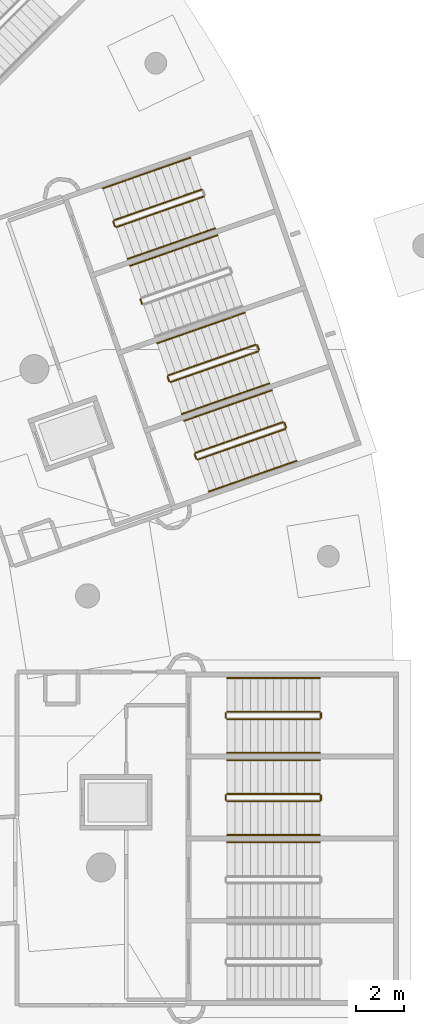
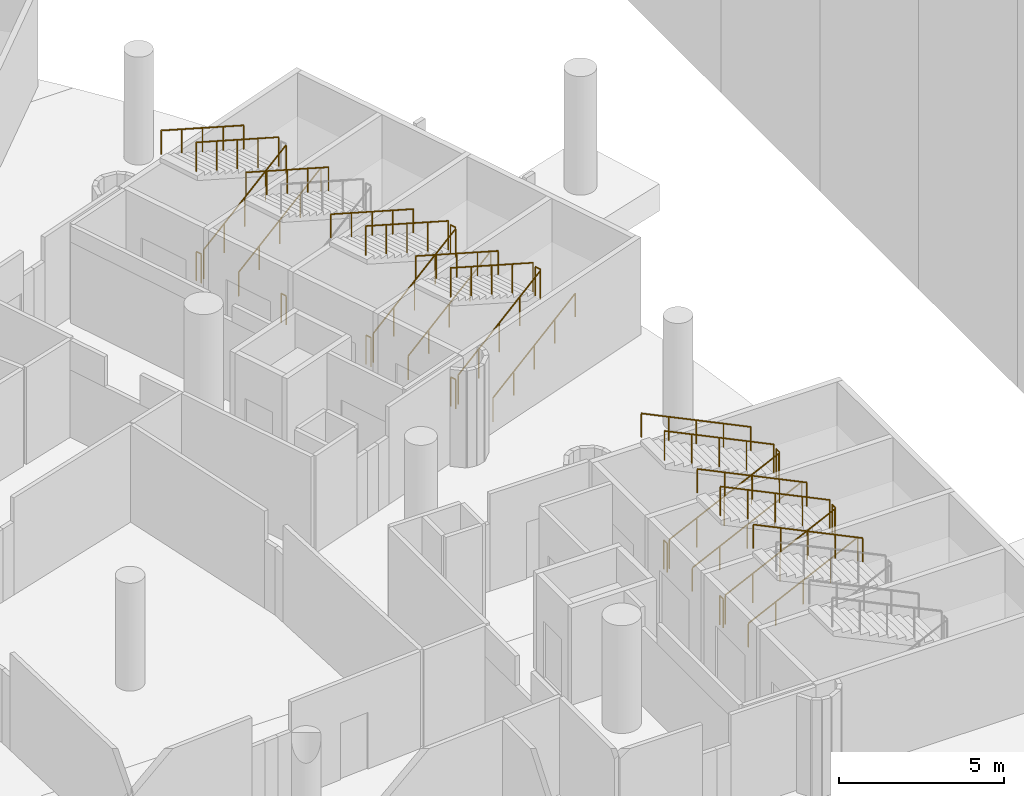
# One storey, part 136 of 142: 32 railings.
"""IFC4 building model written with IfcOpenShell, lengths in metres."""

from ifc_helpers import new_model, si_unit, direction, frame, origin, origin_2d, place, context, subcontext, project, spatial, circle, extrude, material, type_object, element, save


model = new_model("IFC4")

# Units and contexts
model_context = context("Model", 3, precision=1e-05, world=origin(), true_north=direction((0.0, 1.0)))
body_context = subcontext(model_context, "Body", "Model", "MODEL_VIEW")
ifc_project = project(units=[si_unit("LENGTHUNIT", "METRE"), si_unit("AREAUNIT", "SQUARE_METRE"), si_unit("VOLUMEUNIT", "CUBIC_METRE"), si_unit("PLANEANGLEUNIT", "RADIAN"), si_unit("MASSUNIT", "GRAM", prefix="KILO")], contexts=[model_context])

# Site, building, storey
site_placement = place(None, origin())
site = spatial("IfcSite", under=ifc_project, at=site_placement, CompositionType="ELEMENT")
building_placement = place(site_placement, origin())
building = spatial("IfcBuilding", under=site, at=building_placement, Name="Meseta Stadium", CompositionType="ELEMENT")
storey_placement = place(building_placement, frame((0.0, 0.0, -4.0)))
storey = spatial("IfcBuildingStorey", under=building, at=storey_placement, Name="B1", CompositionType="ELEMENT", Elevation=-4.0)

# Railings
ifc_material_1 = material(Name="Steel S355", Category="steel")
railing_type_1 = type_object("IfcRailingType", Name="Stair guard 1100", PredefinedType="GUARDRAIL", material=ifc_material_1)
railing_1_placement = place(storey_placement, frame((90.10009765625, 45.300048828125, 0.15380859375)))
element("IfcRailing", 1, at=railing_1_placement, inside=storey, type_object=railing_type_1, Name="ST19 B1 guard 1", PredefinedType="GUARDRAIL", context=body_context, shape_type="SweptSolid", body=[
    extrude(circle(Radius=0.02392578125, at=origin_2d()), frame((0.0, 0.0, 1.076171875), z_axis=(0.901242096526, 0.0, 0.43331591645), x_axis=(0.0, 1.0, 0.0)), (0.0, 0.0, 1.0), 4.260498046875),
    extrude(circle(Radius=0.02099609375, at=origin_2d()), origin(), (0.0, 0.0, 1.0), 1.052001953125),
    extrude(circle(Radius=0.02099609375, at=origin_2d()), frame((0.9599609375, 0.0, 0.46142578125)), (0.0, 0.0, 1.0), 1.052001953125),
    extrude(circle(Radius=0.02099609375, at=origin_2d()), frame((1.919921875, 0.0, 0.923095703125)), (0.0, 0.0, 1.0), 1.052001953125),
    extrude(circle(Radius=0.02099609375, at=origin_2d()), frame((2.8798828125, 0.0, 1.384765625)), (0.0, 0.0, 1.0), 1.052001953125),
    extrude(circle(Radius=0.02099609375, at=origin_2d()), frame((3.83984375, 0.0, 1.84619140625)), (0.0, 0.0, 1.0), 1.052001953125),
])
railing_2_placement = place(storey_placement, frame((93.989990234375, 45.35009765625, 2.0)))
element("IfcRailing", 2, at=railing_2_placement, inside=storey, type_object=railing_type_1, Name="ST19 B1 guard 2", PredefinedType="GUARDRAIL", context=body_context, shape_type="SweptSolid", body=[
    extrude(circle(Radius=0.02392578125, at=origin_2d()), frame((0.0, 0.0, 1.076171875), z_axis=(0.0, 1.0, 0.0), x_axis=(-1.0, 0.0, 0.0)), (0.0, 0.0, 1.0), 0.199951171875),
    extrude(circle(Radius=0.02099609375, at=origin_2d()), origin(), (0.0, 0.0, 1.0), 1.052001953125),
    extrude(circle(Radius=0.02099609375, at=origin_2d()), frame((0.0, 0.199951171875, 0.0)), (0.0, 0.0, 1.0), 1.052001953125),
])
railing_3_placement = place(storey_placement, frame((93.93994140625, 45.60009765625, 2.15380859375)))
element("IfcRailing", 3, at=railing_3_placement, inside=storey, type_object=railing_type_1, Name="ST19 B1 guard 3", PredefinedType="GUARDRAIL", context=body_context, shape_type="SweptSolid", body=[
    extrude(circle(Radius=0.02392578125, at=origin_2d()), frame((0.0, 0.0, 1.076171875), z_axis=(-0.901242096526, 0.0, 0.43331591645), x_axis=(0.0, -1.0, 0.0)), (0.0, 0.0, 1.0), 4.260498046875),
    extrude(circle(Radius=0.02099609375, at=origin_2d()), origin(), (0.0, 0.0, 1.0), 1.052001953125),
    extrude(circle(Radius=0.02099609375, at=origin_2d()), frame((-0.9599609375, 0.0, 0.46142578125)), (0.0, 0.0, 1.0), 1.052001953125),
    extrude(circle(Radius=0.02099609375, at=origin_2d()), frame((-1.919921875, 0.0, 0.923095703125)), (0.0, 0.0, 1.0), 1.052001953125),
    extrude(circle(Radius=0.02099609375, at=origin_2d()), frame((-2.8798828125, 0.0, 1.384765625)), (0.0, 0.0, 1.0), 1.052001953125),
    extrude(circle(Radius=0.02099609375, at=origin_2d()), frame((-3.83984375, 0.0, 1.84619140625)), (0.0, 0.0, 1.0), 1.052001953125),
])
railing_4_placement = place(storey_placement, frame((90.050048828125, 45.35009765625, 0.0)))
element("IfcRailing", 4, at=railing_4_placement, inside=storey, type_object=railing_type_1, Name="ST19 B1 guard 4", PredefinedType="GUARDRAIL", context=body_context, shape_type="SweptSolid", body=[
    extrude(circle(Radius=0.02392578125, at=origin_2d()), frame((0.0, 0.0, 1.076171875), z_axis=(0.0, 1.0, 0.0), x_axis=(-1.0, 0.0, 0.0)), (0.0, 0.0, 1.0), 0.199951171875),
    extrude(circle(Radius=0.02099609375, at=origin_2d()), origin(), (0.0, 0.0, 1.0), 1.052001953125),
    extrude(circle(Radius=0.02099609375, at=origin_2d()), frame((0.0, 0.199951171875, 0.0)), (0.0, 0.0, 1.0), 1.052001953125),
])
railing_5_placement = place(storey_placement, frame((90.10009765625, 48.699951171875, 0.15380859375)))
element("IfcRailing", 5, at=railing_5_placement, inside=storey, type_object=railing_type_1, Name="ST20 B1 guard 1", PredefinedType="GUARDRAIL", context=body_context, shape_type="SweptSolid", body=[
    extrude(circle(Radius=0.02392578125, at=origin_2d()), frame((0.0, 0.0, 1.076171875), z_axis=(0.901242096526, 0.0, 0.43331591645), x_axis=(0.0, 1.0, 0.0)), (0.0, 0.0, 1.0), 4.260498046875),
    extrude(circle(Radius=0.02099609375, at=origin_2d()), origin(), (0.0, 0.0, 1.0), 1.052001953125),
    extrude(circle(Radius=0.02099609375, at=origin_2d()), frame((0.9599609375, 0.0, 0.46142578125)), (0.0, 0.0, 1.0), 1.052001953125),
    extrude(circle(Radius=0.02099609375, at=origin_2d()), frame((1.919921875, 0.0, 0.923095703125)), (0.0, 0.0, 1.0), 1.052001953125),
    extrude(circle(Radius=0.02099609375, at=origin_2d()), frame((2.8798828125, 0.0, 1.384765625)), (0.0, 0.0, 1.0), 1.052001953125),
    extrude(circle(Radius=0.02099609375, at=origin_2d()), frame((3.83984375, 0.0, 1.84619140625)), (0.0, 0.0, 1.0), 1.052001953125),
])
railing_6_placement = place(storey_placement, frame((93.989990234375, 48.75, 2.0)))
element("IfcRailing", 6, at=railing_6_placement, inside=storey, type_object=railing_type_1, Name="ST20 B1 guard 2", PredefinedType="GUARDRAIL", context=body_context, shape_type="SweptSolid", body=[
    extrude(circle(Radius=0.02392578125, at=origin_2d()), frame((0.0, 0.0, 1.076171875), z_axis=(0.0, 1.0, 0.0), x_axis=(-1.0, 0.0, 0.0)), (0.0, 0.0, 1.0), 0.199951171875),
    extrude(circle(Radius=0.02099609375, at=origin_2d()), origin(), (0.0, 0.0, 1.0), 1.052001953125),
    extrude(circle(Radius=0.02099609375, at=origin_2d()), frame((0.0, 0.199951171875, 0.0)), (0.0, 0.0, 1.0), 1.052001953125),
])
railing_7_placement = place(storey_placement, frame((93.93994140625, 49.0, 2.15380859375)))
element("IfcRailing", 7, at=railing_7_placement, inside=storey, type_object=railing_type_1, Name="ST20 B1 guard 3", PredefinedType="GUARDRAIL", context=body_context, shape_type="SweptSolid", body=[
    extrude(circle(Radius=0.02392578125, at=origin_2d()), frame((0.0, 0.0, 1.076171875), z_axis=(-0.901242096526, 0.0, 0.43331591645), x_axis=(0.0, -1.0, 0.0)), (0.0, 0.0, 1.0), 4.260498046875),
    extrude(circle(Radius=0.02099609375, at=origin_2d()), origin(), (0.0, 0.0, 1.0), 1.052001953125),
    extrude(circle(Radius=0.02099609375, at=origin_2d()), frame((-0.9599609375, 0.0, 0.46142578125)), (0.0, 0.0, 1.0), 1.052001953125),
    extrude(circle(Radius=0.02099609375, at=origin_2d()), frame((-1.919921875, 0.0, 0.923095703125)), (0.0, 0.0, 1.0), 1.052001953125),
    extrude(circle(Radius=0.02099609375, at=origin_2d()), frame((-2.8798828125, 0.0, 1.384765625)), (0.0, 0.0, 1.0), 1.052001953125),
    extrude(circle(Radius=0.02099609375, at=origin_2d()), frame((-3.83984375, 0.0, 1.84619140625)), (0.0, 0.0, 1.0), 1.052001953125),
])
railing_8_placement = place(storey_placement, frame((90.050048828125, 48.75, 0.0)))
element("IfcRailing", 8, at=railing_8_placement, inside=storey, type_object=railing_type_1, Name="ST20 B1 guard 4", PredefinedType="GUARDRAIL", context=body_context, shape_type="SweptSolid", body=[
    extrude(circle(Radius=0.02392578125, at=origin_2d()), frame((0.0, 0.0, 1.076171875), z_axis=(0.0, 1.0, 0.0), x_axis=(-1.0, 0.0, 0.0)), (0.0, 0.0, 1.0), 0.199951171875),
    extrude(circle(Radius=0.02099609375, at=origin_2d()), origin(), (0.0, 0.0, 1.0), 1.052001953125),
    extrude(circle(Radius=0.02099609375, at=origin_2d()), frame((0.0, 0.199951171875, 0.0)), (0.0, 0.0, 1.0), 1.052001953125),
])
railing_9_placement = place(storey_placement, frame((88.88720703125, 59.44482421875, 0.15380859375)))
element("IfcRailing", 9, at=railing_9_placement, inside=storey, type_object=railing_type_1, Name="ST21 B1 guard 1", PredefinedType="GUARDRAIL", context=body_context, shape_type="SweptSolid", body=[
    extrude(circle(Radius=0.02392578125, at=origin_2d()), frame((0.0, 0.0, 1.076171875), z_axis=(0.85067155836, 0.29767201574, 0.433300439467), x_axis=(-0.330288120323, 0.9438801606, 0.0)), (0.0, 0.0, 1.0), 4.2607421875),
    extrude(circle(Radius=0.02099609375, at=origin_2d()), origin(), (0.0, 0.0, 1.0), 1.052001953125),
    extrude(circle(Radius=0.02099609375, at=origin_2d()), frame((0.90625, 0.317138671875, 0.46142578125)), (0.0, 0.0, 1.0), 1.052001953125),
    extrude(circle(Radius=0.02099609375, at=origin_2d()), frame((1.812255859375, 0.63427734375, 0.923095703125)), (0.0, 0.0, 1.0), 1.052001953125),
    extrude(circle(Radius=0.02099609375, at=origin_2d()), frame((2.71826171875, 0.951171875, 1.384765625)), (0.0, 0.0, 1.0), 1.052001953125),
    extrude(circle(Radius=0.02099609375, at=origin_2d()), frame((3.62451171875, 1.268310546875, 1.84619140625)), (0.0, 0.0, 1.0), 1.052001953125),
])
railing_10_placement = place(storey_placement, frame((92.54248046875, 60.77685546875, 2.0)))
element("IfcRailing", 10, at=railing_10_placement, inside=storey, type_object=railing_type_1, Name="ST21 B1 guard 2", PredefinedType="GUARDRAIL", context=body_context, shape_type="SweptSolid", body=[
    extrude(circle(Radius=0.02392578125, at=origin_2d()), frame((0.0, 0.0, 1.076171875), z_axis=(-0.330839792317, 0.943686935281, 0.0), x_axis=(-0.943686935281, -0.330839792317, 0.0)), (0.0, 0.0, 1.0), 0.199951171875),
    extrude(circle(Radius=0.02099609375, at=origin_2d()), origin(), (0.0, 0.0, 1.0), 1.052001953125),
    extrude(circle(Radius=0.02099609375, at=origin_2d()), frame((-0.066162109375, 0.188720703125, 0.0)), (0.0, 0.0, 1.0), 1.052001953125),
])
railing_11_placement = place(storey_placement, frame((92.41259765625, 60.996337890625, 2.15380859375)))
element("IfcRailing", 11, at=railing_11_placement, inside=storey, type_object=railing_type_1, Name="ST21 B1 guard 3", PredefinedType="GUARDRAIL", context=body_context, shape_type="SweptSolid", body=[
    extrude(circle(Radius=0.02392578125, at=origin_2d()), frame((0.0, 0.0, 1.076171875), z_axis=(-0.85067155836, -0.29767201574, 0.433300439467), x_axis=(0.330288120323, -0.9438801606, 0.0)), (0.0, 0.0, 1.0), 4.2607421875),
    extrude(circle(Radius=0.02099609375, at=origin_2d()), origin(), (0.0, 0.0, 1.0), 1.052001953125),
    extrude(circle(Radius=0.02099609375, at=origin_2d()), frame((-0.90625, -0.317138671875, 0.46142578125)), (0.0, 0.0, 1.0), 1.052001953125),
    extrude(circle(Radius=0.02099609375, at=origin_2d()), frame((-1.812255859375, -0.63427734375, 0.923095703125)), (0.0, 0.0, 1.0), 1.052001953125),
    extrude(circle(Radius=0.02099609375, at=origin_2d()), frame((-2.71826171875, -0.951171875, 1.384765625)), (0.0, 0.0, 1.0), 1.052001953125),
    extrude(circle(Radius=0.02099609375, at=origin_2d()), frame((-3.62451171875, -1.268310546875, 1.84619140625)), (0.0, 0.0, 1.0), 1.052001953125),
])
railing_12_placement = place(storey_placement, frame((88.823486328125, 59.475341796875, 0.0)))
element("IfcRailing", 12, at=railing_12_placement, inside=storey, type_object=railing_type_1, Name="ST21 B1 guard 4", PredefinedType="GUARDRAIL", context=body_context, shape_type="SweptSolid", body=[
    extrude(circle(Radius=0.02392578125, at=origin_2d()), frame((0.0, 0.0, 1.076171875), z_axis=(-0.329372156318, 0.944200181446, 0.0), x_axis=(-0.944200181446, -0.329372156318, 0.0)), (0.0, 0.0, 1.0), 0.2001953125),
    extrude(circle(Radius=0.02099609375, at=origin_2d()), origin(), (0.0, 0.0, 1.0), 1.052001953125),
    extrude(circle(Radius=0.02099609375, at=origin_2d()), frame((-0.06591796875, 0.18896484375, 0.0)), (0.0, 0.0, 1.0), 1.052001953125),
])
railing_13_placement = place(storey_placement, frame((87.764404296875, 62.654052734375, 0.15380859375)))
element("IfcRailing", 13, at=railing_13_placement, inside=storey, type_object=railing_type_1, Name="ST22 B1 guard 1", PredefinedType="GUARDRAIL", context=body_context, shape_type="SweptSolid", body=[
    extrude(circle(Radius=0.02392578125, at=origin_2d()), frame((0.0, 0.0, 1.076171875), z_axis=(0.85067155836, 0.29767201574, 0.433300439467), x_axis=(-0.330288120323, 0.9438801606, 0.0)), (0.0, 0.0, 1.0), 4.2607421875),
    extrude(circle(Radius=0.02099609375, at=origin_2d()), origin(), (0.0, 0.0, 1.0), 1.052001953125),
    extrude(circle(Radius=0.02099609375, at=origin_2d()), frame((0.90625, 0.317138671875, 0.46142578125)), (0.0, 0.0, 1.0), 1.052001953125),
    extrude(circle(Radius=0.02099609375, at=origin_2d()), frame((1.812255859375, 0.63427734375, 0.923095703125)), (0.0, 0.0, 1.0), 1.052001953125),
    extrude(circle(Radius=0.02099609375, at=origin_2d()), frame((2.71826171875, 0.951171875, 1.384765625)), (0.0, 0.0, 1.0), 1.052001953125),
    extrude(circle(Radius=0.02099609375, at=origin_2d()), frame((3.62451171875, 1.268310546875, 1.84619140625)), (0.0, 0.0, 1.0), 1.052001953125),
])
railing_14_placement = place(storey_placement, frame((91.41943359375, 63.986083984375, 2.0)))
element("IfcRailing", 14, at=railing_14_placement, inside=storey, type_object=railing_type_1, Name="ST22 B1 guard 2", PredefinedType="GUARDRAIL", context=body_context, shape_type="SweptSolid", body=[
    extrude(circle(Radius=0.02392578125, at=origin_2d()), frame((0.0, 0.0, 1.076171875), z_axis=(-0.329751946816, 0.944067610699, 0.0), x_axis=(-0.944067610699, -0.329751946816, 0.0)), (0.0, 0.0, 1.0), 0.199951171875),
    extrude(circle(Radius=0.02099609375, at=origin_2d()), origin(), (0.0, 0.0, 1.0), 1.052001953125),
    extrude(circle(Radius=0.02099609375, at=origin_2d()), frame((-0.06591796875, 0.188720703125, 0.0)), (0.0, 0.0, 1.0), 1.052001953125),
])
railing_15_placement = place(storey_placement, frame((91.289794921875, 64.205322265625, 2.15380859375)))
element("IfcRailing", 15, at=railing_15_placement, inside=storey, type_object=railing_type_1, Name="ST22 B1 guard 3", PredefinedType="GUARDRAIL", context=body_context, shape_type="SweptSolid", body=[
    extrude(circle(Radius=0.02392578125, at=origin_2d()), frame((0.0, 0.0, 1.076171875), z_axis=(-0.850686066833, -0.297619791939, 0.433307829543), x_axis=(0.330231476208, -0.943899979935, 0.0)), (0.0, 0.0, 1.0), 4.2607421875),
    extrude(circle(Radius=0.02099609375, at=origin_2d()), origin(), (0.0, 0.0, 1.0), 1.052001953125),
    extrude(circle(Radius=0.02099609375, at=origin_2d()), frame((-0.90625, -0.31689453125, 0.46142578125)), (0.0, 0.0, 1.0), 1.052001953125),
    extrude(circle(Radius=0.02099609375, at=origin_2d()), frame((-1.812255859375, -0.634033203125, 0.923095703125)), (0.0, 0.0, 1.0), 1.052001953125),
    extrude(circle(Radius=0.02099609375, at=origin_2d()), frame((-2.71826171875, -0.951171875, 1.384765625)), (0.0, 0.0, 1.0), 1.052001953125),
    extrude(circle(Radius=0.02099609375, at=origin_2d()), frame((-3.62451171875, -1.26806640625, 1.84619140625)), (0.0, 0.0, 1.0), 1.052001953125),
])
railing_16_placement = place(storey_placement, frame((87.70068359375, 62.6845703125, 0.0)))
element("IfcRailing", 16, at=railing_16_placement, inside=storey, type_object=railing_type_1, Name="ST22 B1 guard 4", PredefinedType="GUARDRAIL", context=body_context, shape_type="SweptSolid", body=[
    extrude(circle(Radius=0.02392578125, at=origin_2d()), frame((0.0, 0.0, 1.076171875), z_axis=(-0.330459055601, 0.943820328543, 0.0), x_axis=(-0.943820328543, -0.330459055601, 0.0)), (0.0, 0.0, 1.0), 0.2001953125),
    extrude(circle(Radius=0.02099609375, at=origin_2d()), origin(), (0.0, 0.0, 1.0), 1.052001953125),
    extrude(circle(Radius=0.02099609375, at=origin_2d()), frame((-0.066162109375, 0.18896484375, 0.0)), (0.0, 0.0, 1.0), 1.052001953125),
])
railing_17_placement = place(storey_placement, frame((86.57763671875, 65.893798828125, 0.0)))
element("IfcRailing", 17, at=railing_17_placement, inside=storey, type_object=railing_type_1, Name="ST23 B1 guard 4", PredefinedType="GUARDRAIL", context=body_context, shape_type="SweptSolid", body=[
    extrude(circle(Radius=0.02392578125, at=origin_2d()), frame((0.0, 0.0, 1.076171875), z_axis=(-0.329372156318, 0.944200181446, 0.0), x_axis=(-0.944200181446, -0.329372156318, 0.0)), (0.0, 0.0, 1.0), 0.2001953125),
    extrude(circle(Radius=0.02099609375, at=origin_2d()), origin(), (0.0, 0.0, 1.0), 1.052001953125),
    extrude(circle(Radius=0.02099609375, at=origin_2d()), frame((-0.06591796875, 0.18896484375, 0.0)), (0.0, 0.0, 1.0), 1.052001953125),
])
railing_18_placement = place(storey_placement, frame((85.518310546875, 69.072509765625, 0.15380859375)))
element("IfcRailing", 18, at=railing_18_placement, inside=storey, type_object=railing_type_1, Name="ST24 B1 guard 1", PredefinedType="GUARDRAIL", context=body_context, shape_type="SweptSolid", body=[
    extrude(circle(Radius=0.02392578125, at=origin_2d()), frame((0.0, 0.0, 1.076171875), z_axis=(0.850686066833, 0.297619791939, 0.433307829543), x_axis=(-0.330231476208, 0.943899979935, 0.0)), (0.0, 0.0, 1.0), 4.2607421875),
    extrude(circle(Radius=0.02099609375, at=origin_2d()), origin(), (0.0, 0.0, 1.0), 1.052001953125),
    extrude(circle(Radius=0.02099609375, at=origin_2d()), frame((0.90625, 0.31689453125, 0.46142578125)), (0.0, 0.0, 1.0), 1.052001953125),
    extrude(circle(Radius=0.02099609375, at=origin_2d()), frame((1.812255859375, 0.634033203125, 0.923095703125)), (0.0, 0.0, 1.0), 1.052001953125),
    extrude(circle(Radius=0.02099609375, at=origin_2d()), frame((2.71826171875, 0.951171875, 1.384765625)), (0.0, 0.0, 1.0), 1.052001953125),
    extrude(circle(Radius=0.02099609375, at=origin_2d()), frame((3.62451171875, 1.26806640625, 1.84619140625)), (0.0, 0.0, 1.0), 1.052001953125),
])
railing_19_placement = place(storey_placement, frame((89.0439453125, 70.623779296875, 2.15380859375)))
element("IfcRailing", 19, at=railing_19_placement, inside=storey, type_object=railing_type_1, Name="ST24 B1 guard 3", PredefinedType="GUARDRAIL", context=body_context, shape_type="SweptSolid", body=[
    extrude(circle(Radius=0.02392578125, at=origin_2d()), frame((0.0, 0.0, 1.076171875), z_axis=(-0.85067155836, -0.29767201574, 0.433300439467), x_axis=(0.330288120323, -0.9438801606, 0.0)), (0.0, 0.0, 1.0), 4.2607421875),
    extrude(circle(Radius=0.02099609375, at=origin_2d()), origin(), (0.0, 0.0, 1.0), 1.052001953125),
    extrude(circle(Radius=0.02099609375, at=origin_2d()), frame((-0.90625, -0.317138671875, 0.46142578125)), (0.0, 0.0, 1.0), 1.052001953125),
    extrude(circle(Radius=0.02099609375, at=origin_2d()), frame((-1.812255859375, -0.63427734375, 0.923095703125)), (0.0, 0.0, 1.0), 1.052001953125),
    extrude(circle(Radius=0.02099609375, at=origin_2d()), frame((-2.71826171875, -0.951171875, 1.384765625)), (0.0, 0.0, 1.0), 1.052001953125),
    extrude(circle(Radius=0.02099609375, at=origin_2d()), frame((-3.62451171875, -1.268310546875, 1.84619140625)), (0.0, 0.0, 1.0), 1.052001953125),
])
railing_20_placement = place(storey_placement, frame((85.454833984375, 69.10302734375, 0.0)))
element("IfcRailing", 20, at=railing_20_placement, inside=storey, type_object=railing_type_1, Name="ST24 B1 guard 4", PredefinedType="GUARDRAIL", context=body_context, shape_type="SweptSolid", body=[
    extrude(circle(Radius=0.02392578125, at=origin_2d()), frame((0.0, 0.0, 1.076171875), z_axis=(-0.330839792317, 0.943686935281, 0.0), x_axis=(-0.943686935281, -0.330839792317, 0.0)), (0.0, 0.0, 1.0), 0.199951171875),
    extrude(circle(Radius=0.02099609375, at=origin_2d()), origin(), (0.0, 0.0, 1.0), 1.052001953125),
    extrude(circle(Radius=0.02099609375, at=origin_2d()), frame((-0.066162109375, 0.188720703125, 0.0)), (0.0, 0.0, 1.0), 1.052001953125),
])
ifc_material_2 = material(Name="Steel S355", Category="steel")
railing_type_2 = type_object("IfcRailingType", Name="Stair handrail 900", PredefinedType="HANDRAIL", material=ifc_material_2)
railing_21_placement = place(storey_placement, frame((93.93994140625, 43.60009765625, 2.15380859375)))
element("IfcRailing", 21, at=railing_21_placement, inside=storey, type_object=railing_type_2, Name="ST18 B1 handrail 2", PredefinedType="HANDRAIL", context=body_context, shape_type="SweptSolid", body=[
    extrude(circle(Radius=0.02392578125, at=origin_2d()), frame((0.0, 0.0, 0.8759765625), z_axis=(-0.901242096526, 0.0, 0.43331591645), x_axis=(0.0, -1.0, 0.0)), (0.0, 0.0, 1.0), 4.260498046875),
    extrude(circle(Radius=0.02099609375, at=origin_2d()), origin(), (0.0, 0.0, 1.0), 0.851806640625),
    extrude(circle(Radius=0.02099609375, at=origin_2d()), frame((-0.9599609375, 0.0, 0.46142578125)), (0.0, 0.0, 1.0), 0.851806640625),
    extrude(circle(Radius=0.02099609375, at=origin_2d()), frame((-1.919921875, 0.0, 0.923095703125)), (0.0, 0.0, 1.0), 0.851806640625),
    extrude(circle(Radius=0.02099609375, at=origin_2d()), frame((-2.8798828125, 0.0, 1.384765625)), (0.0, 0.0, 1.0), 0.851806640625),
    extrude(circle(Radius=0.02099609375, at=origin_2d()), frame((-3.83984375, 0.0, 1.84619140625)), (0.0, 0.0, 1.0), 0.851806640625),
])
railing_22_placement = place(storey_placement, frame((90.10009765625, 43.89990234375, 0.15380859375)))
element("IfcRailing", 22, at=railing_22_placement, inside=storey, type_object=railing_type_2, Name="ST19 B1 handrail 1", PredefinedType="HANDRAIL", context=body_context, shape_type="SweptSolid", body=[
    extrude(circle(Radius=0.02392578125, at=origin_2d()), frame((0.0, 0.0, 0.8759765625), z_axis=(0.901242096526, 0.0, 0.43331591645), x_axis=(0.0, 1.0, 0.0)), (0.0, 0.0, 1.0), 4.260498046875),
    extrude(circle(Radius=0.02099609375, at=origin_2d()), origin(), (0.0, 0.0, 1.0), 0.851806640625),
    extrude(circle(Radius=0.02099609375, at=origin_2d()), frame((0.9599609375, 0.0, 0.46142578125)), (0.0, 0.0, 1.0), 0.851806640625),
    extrude(circle(Radius=0.02099609375, at=origin_2d()), frame((1.919921875, 0.0, 0.923095703125)), (0.0, 0.0, 1.0), 0.851806640625),
    extrude(circle(Radius=0.02099609375, at=origin_2d()), frame((2.8798828125, 0.0, 1.384765625)), (0.0, 0.0, 1.0), 0.851806640625),
    extrude(circle(Radius=0.02099609375, at=origin_2d()), frame((3.83984375, 0.0, 1.84619140625)), (0.0, 0.0, 1.0), 0.851806640625),
])
railing_23_placement = place(storey_placement, frame((93.93994140625, 47.0, 2.15380859375)))
element("IfcRailing", 23, at=railing_23_placement, inside=storey, type_object=railing_type_2, Name="ST19 B1 handrail 2", PredefinedType="HANDRAIL", context=body_context, shape_type="SweptSolid", body=[
    extrude(circle(Radius=0.02392578125, at=origin_2d()), frame((0.0, 0.0, 0.8759765625), z_axis=(-0.901242096526, 0.0, 0.43331591645), x_axis=(0.0, -1.0, 0.0)), (0.0, 0.0, 1.0), 4.260498046875),
    extrude(circle(Radius=0.02099609375, at=origin_2d()), origin(), (0.0, 0.0, 1.0), 0.851806640625),
    extrude(circle(Radius=0.02099609375, at=origin_2d()), frame((-0.9599609375, 0.0, 0.46142578125)), (0.0, 0.0, 1.0), 0.851806640625),
    extrude(circle(Radius=0.02099609375, at=origin_2d()), frame((-1.919921875, 0.0, 0.923095703125)), (0.0, 0.0, 1.0), 0.851806640625),
    extrude(circle(Radius=0.02099609375, at=origin_2d()), frame((-2.8798828125, 0.0, 1.384765625)), (0.0, 0.0, 1.0), 0.851806640625),
    extrude(circle(Radius=0.02099609375, at=origin_2d()), frame((-3.83984375, 0.0, 1.84619140625)), (0.0, 0.0, 1.0), 0.851806640625),
])
railing_24_placement = place(storey_placement, frame((90.10009765625, 47.300048828125, 0.15380859375)))
element("IfcRailing", 24, at=railing_24_placement, inside=storey, type_object=railing_type_2, Name="ST20 B1 handrail 1", PredefinedType="HANDRAIL", context=body_context, shape_type="SweptSolid", body=[
    extrude(circle(Radius=0.02392578125, at=origin_2d()), frame((0.0, 0.0, 0.8759765625), z_axis=(0.901242096526, 0.0, 0.43331591645), x_axis=(0.0, 1.0, 0.0)), (0.0, 0.0, 1.0), 4.260498046875),
    extrude(circle(Radius=0.02099609375, at=origin_2d()), origin(), (0.0, 0.0, 1.0), 0.851806640625),
    extrude(circle(Radius=0.02099609375, at=origin_2d()), frame((0.9599609375, 0.0, 0.46142578125)), (0.0, 0.0, 1.0), 0.851806640625),
    extrude(circle(Radius=0.02099609375, at=origin_2d()), frame((1.919921875, 0.0, 0.923095703125)), (0.0, 0.0, 1.0), 0.851806640625),
    extrude(circle(Radius=0.02099609375, at=origin_2d()), frame((2.8798828125, 0.0, 1.384765625)), (0.0, 0.0, 1.0), 0.851806640625),
    extrude(circle(Radius=0.02099609375, at=origin_2d()), frame((3.83984375, 0.0, 1.84619140625)), (0.0, 0.0, 1.0), 0.851806640625),
])
railing_25_placement = place(storey_placement, frame((93.93994140625, 50.39990234375, 2.15380859375)))
element("IfcRailing", 25, at=railing_25_placement, inside=storey, type_object=railing_type_2, Name="ST20 B1 handrail 2", PredefinedType="HANDRAIL", context=body_context, shape_type="SweptSolid", body=[
    extrude(circle(Radius=0.02392578125, at=origin_2d()), frame((0.0, 0.0, 0.8759765625), z_axis=(-0.901242096526, 0.0, 0.43331591645), x_axis=(0.0, -1.0, 0.0)), (0.0, 0.0, 1.0), 4.260498046875),
    extrude(circle(Radius=0.02099609375, at=origin_2d()), origin(), (0.0, 0.0, 1.0), 0.851806640625),
    extrude(circle(Radius=0.02099609375, at=origin_2d()), frame((-0.9599609375, 0.0, 0.46142578125)), (0.0, 0.0, 1.0), 0.851806640625),
    extrude(circle(Radius=0.02099609375, at=origin_2d()), frame((-1.919921875, 0.0, 0.923095703125)), (0.0, 0.0, 1.0), 0.851806640625),
    extrude(circle(Radius=0.02099609375, at=origin_2d()), frame((-2.8798828125, 0.0, 1.384765625)), (0.0, 0.0, 1.0), 0.851806640625),
    extrude(circle(Radius=0.02099609375, at=origin_2d()), frame((-3.83984375, 0.0, 1.84619140625)), (0.0, 0.0, 1.0), 0.851806640625),
])
railing_26_placement = place(storey_placement, frame((89.349609375, 58.123291015625, 0.15380859375)))
element("IfcRailing", 26, at=railing_26_placement, inside=storey, type_object=railing_type_2, Name="ST21 B1 handrail 1", PredefinedType="HANDRAIL", context=body_context, shape_type="SweptSolid", body=[
    extrude(circle(Radius=0.02392578125, at=origin_2d()), frame((0.0, 0.0, 0.8759765625), z_axis=(0.85067155836, 0.29767201574, 0.433300439467), x_axis=(-0.330288120323, 0.9438801606, 0.0)), (0.0, 0.0, 1.0), 4.2607421875),
    extrude(circle(Radius=0.02099609375, at=origin_2d()), origin(), (0.0, 0.0, 1.0), 0.851806640625),
    extrude(circle(Radius=0.02099609375, at=origin_2d()), frame((0.90625, 0.317138671875, 0.46142578125)), (0.0, 0.0, 1.0), 0.851806640625),
    extrude(circle(Radius=0.02099609375, at=origin_2d()), frame((1.812255859375, 0.63427734375, 0.923095703125)), (0.0, 0.0, 1.0), 0.851806640625),
    extrude(circle(Radius=0.02099609375, at=origin_2d()), frame((2.71826171875, 0.951171875, 1.384765625)), (0.0, 0.0, 1.0), 0.851806640625),
    extrude(circle(Radius=0.02099609375, at=origin_2d()), frame((3.62451171875, 1.268310546875, 1.84619140625)), (0.0, 0.0, 1.0), 0.851806640625),
])
railing_27_placement = place(storey_placement, frame((91.9501953125, 62.317626953125, 2.15380859375)))
element("IfcRailing", 27, at=railing_27_placement, inside=storey, type_object=railing_type_2, Name="ST21 B1 handrail 2", PredefinedType="HANDRAIL", context=body_context, shape_type="SweptSolid", body=[
    extrude(circle(Radius=0.02392578125, at=origin_2d()), frame((0.0, 0.0, 0.8759765625), z_axis=(-0.85067155836, -0.29767201574, 0.433300439467), x_axis=(0.330288120323, -0.9438801606, 0.0)), (0.0, 0.0, 1.0), 4.2607421875),
    extrude(circle(Radius=0.02099609375, at=origin_2d()), origin(), (0.0, 0.0, 1.0), 0.851806640625),
    extrude(circle(Radius=0.02099609375, at=origin_2d()), frame((-0.90625, -0.317138671875, 0.46142578125)), (0.0, 0.0, 1.0), 0.851806640625),
    extrude(circle(Radius=0.02099609375, at=origin_2d()), frame((-1.812255859375, -0.63427734375, 0.923095703125)), (0.0, 0.0, 1.0), 0.851806640625),
    extrude(circle(Radius=0.02099609375, at=origin_2d()), frame((-2.71826171875, -0.951171875, 1.384765625)), (0.0, 0.0, 1.0), 0.851806640625),
    extrude(circle(Radius=0.02099609375, at=origin_2d()), frame((-3.62451171875, -1.268310546875, 1.84619140625)), (0.0, 0.0, 1.0), 0.851806640625),
])
railing_28_placement = place(storey_placement, frame((88.226806640625, 61.33251953125, 0.15380859375)))
element("IfcRailing", 28, at=railing_28_placement, inside=storey, type_object=railing_type_2, Name="ST22 B1 handrail 1", PredefinedType="HANDRAIL", context=body_context, shape_type="SweptSolid", body=[
    extrude(circle(Radius=0.02392578125, at=origin_2d()), frame((0.0, 0.0, 0.8759765625), z_axis=(0.85067155836, 0.29767201574, 0.433300439467), x_axis=(-0.330288120323, 0.9438801606, 0.0)), (0.0, 0.0, 1.0), 4.2607421875),
    extrude(circle(Radius=0.02099609375, at=origin_2d()), origin(), (0.0, 0.0, 1.0), 0.851806640625),
    extrude(circle(Radius=0.02099609375, at=origin_2d()), frame((0.90625, 0.317138671875, 0.46142578125)), (0.0, 0.0, 1.0), 0.851806640625),
    extrude(circle(Radius=0.02099609375, at=origin_2d()), frame((1.812255859375, 0.63427734375, 0.923095703125)), (0.0, 0.0, 1.0), 0.851806640625),
    extrude(circle(Radius=0.02099609375, at=origin_2d()), frame((2.71826171875, 0.951171875, 1.384765625)), (0.0, 0.0, 1.0), 0.851806640625),
    extrude(circle(Radius=0.02099609375, at=origin_2d()), frame((3.62451171875, 1.268310546875, 1.84619140625)), (0.0, 0.0, 1.0), 0.851806640625),
])
for number, where, name in (
    (29, (90.827392578125, 65.52685546875, 2.15380859375), "ST22 B1 handrail 2"),
    (30, (89.704345703125, 68.736083984375, 2.15380859375), "ST23 B1 handrail 2"),
):
    element("IfcRailing", number, at=place(storey_placement, frame(where)), inside=storey, type_object=railing_type_2, Name=name, PredefinedType="HANDRAIL", context=body_context, shape_type="SweptSolid", body=[
        extrude(circle(Radius=0.02392578125, at=origin_2d()), frame((0.0, 0.0, 0.8759765625), z_axis=(-0.85067155836, -0.29767201574, 0.433300439467), x_axis=(0.330288120323, -0.9438801606, 0.0)), (0.0, 0.0, 1.0), 4.2607421875),
        extrude(circle(Radius=0.02099609375, at=origin_2d()), origin(), (0.0, 0.0, 1.0), 0.851806640625),
        extrude(circle(Radius=0.02099609375, at=origin_2d()), frame((-0.90625, -0.317138671875, 0.46142578125)), (0.0, 0.0, 1.0), 0.851806640625),
        extrude(circle(Radius=0.02099609375, at=origin_2d()), frame((-1.812255859375, -0.63427734375, 0.923095703125)), (0.0, 0.0, 1.0), 0.851806640625),
        extrude(circle(Radius=0.02099609375, at=origin_2d()), frame((-2.71826171875, -0.951171875, 1.384765625)), (0.0, 0.0, 1.0), 0.851806640625),
        extrude(circle(Radius=0.02099609375, at=origin_2d()), frame((-3.62451171875, -1.268310546875, 1.84619140625)), (0.0, 0.0, 1.0), 0.851806640625),
    ])
railing_29_placement = place(storey_placement, frame((85.980712890625, 67.7509765625, 0.15380859375)))
element("IfcRailing", 31, at=railing_29_placement, inside=storey, type_object=railing_type_2, Name="ST24 B1 handrail 1", PredefinedType="HANDRAIL", context=body_context, shape_type="SweptSolid", body=[
    extrude(circle(Radius=0.02392578125, at=origin_2d()), frame((0.0, 0.0, 0.8759765625), z_axis=(0.85067155836, 0.29767201574, 0.433300439467), x_axis=(-0.330288120323, 0.9438801606, 0.0)), (0.0, 0.0, 1.0), 4.2607421875),
    extrude(circle(Radius=0.02099609375, at=origin_2d()), origin(), (0.0, 0.0, 1.0), 0.851806640625),
    extrude(circle(Radius=0.02099609375, at=origin_2d()), frame((0.90625, 0.317138671875, 0.46142578125)), (0.0, 0.0, 1.0), 0.851806640625),
    extrude(circle(Radius=0.02099609375, at=origin_2d()), frame((1.812255859375, 0.63427734375, 0.923095703125)), (0.0, 0.0, 1.0), 0.851806640625),
    extrude(circle(Radius=0.02099609375, at=origin_2d()), frame((2.71826171875, 0.951171875, 1.384765625)), (0.0, 0.0, 1.0), 0.851806640625),
    extrude(circle(Radius=0.02099609375, at=origin_2d()), frame((3.62451171875, 1.268310546875, 1.84619140625)), (0.0, 0.0, 1.0), 0.851806640625),
])
railing_30_placement = place(storey_placement, frame((88.58154296875, 71.9453125, 2.15380859375)))
element("IfcRailing", 32, at=railing_30_placement, inside=storey, type_object=railing_type_2, Name="ST24 B1 handrail 2", PredefinedType="HANDRAIL", context=body_context, shape_type="SweptSolid", body=[
    extrude(circle(Radius=0.02392578125, at=origin_2d()), frame((0.0, 0.0, 0.8759765625), z_axis=(-0.85067155836, -0.29767201574, 0.433300439467), x_axis=(0.330288120323, -0.9438801606, 0.0)), (0.0, 0.0, 1.0), 4.2607421875),
    extrude(circle(Radius=0.02099609375, at=origin_2d()), origin(), (0.0, 0.0, 1.0), 0.851806640625),
    extrude(circle(Radius=0.02099609375, at=origin_2d()), frame((-0.90625, -0.317138671875, 0.46142578125)), (0.0, 0.0, 1.0), 0.851806640625),
    extrude(circle(Radius=0.02099609375, at=origin_2d()), frame((-1.812255859375, -0.63427734375, 0.923095703125)), (0.0, 0.0, 1.0), 0.851806640625),
    extrude(circle(Radius=0.02099609375, at=origin_2d()), frame((-2.71826171875, -0.951171875, 1.384765625)), (0.0, 0.0, 1.0), 0.851806640625),
    extrude(circle(Radius=0.02099609375, at=origin_2d()), frame((-3.62451171875, -1.268310546875, 1.84619140625)), (0.0, 0.0, 1.0), 0.851806640625),
])

save(model, "model.ifc")
